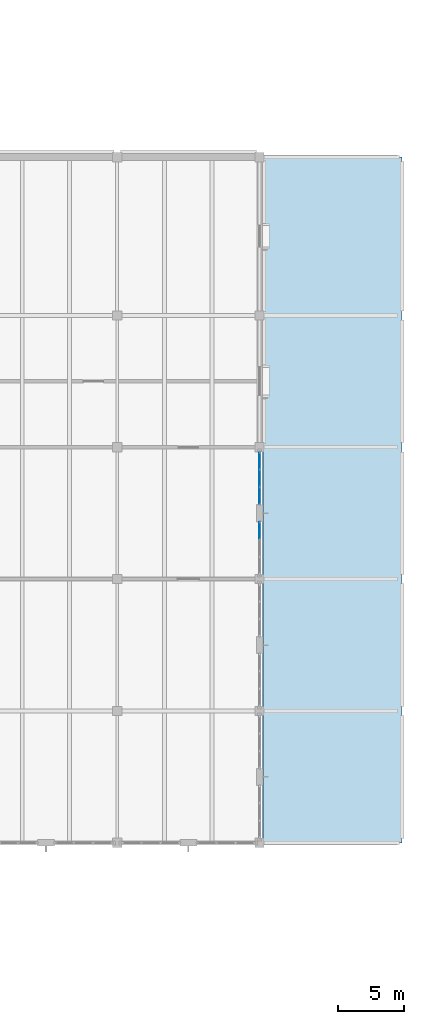
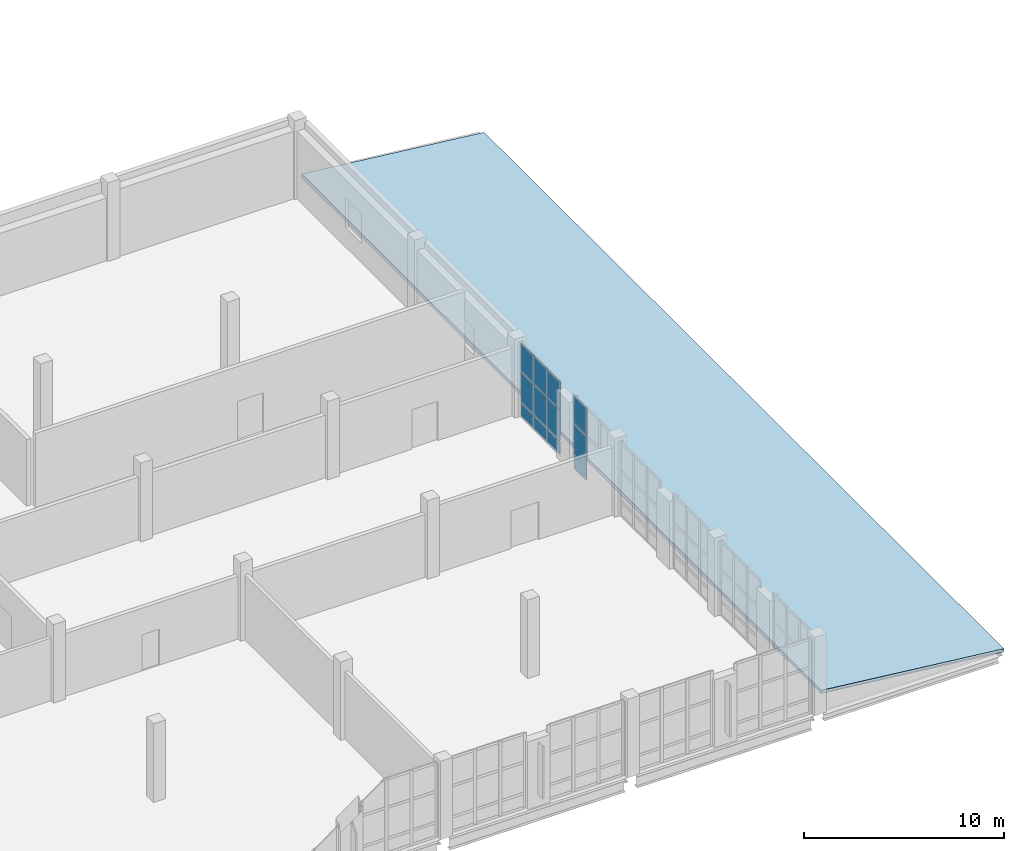
# One storey, part 64 of 92: 12 plates, 1 slab, 2 elements without a shape of their own.
"""IFC4 building model written with IfcOpenShell, lengths in metres."""

from ifc_helpers import new_model, si_unit, direction, frame, origin, origin_2d, place, context, subcontext, project, spatial, polyline, rectangle, outline, extrude, material, layer, layer_set, type_object, element, aggregate, save


model = new_model("IFC4")

# Units and contexts
model_context = context("Model", 3, precision=1e-05, world=origin(), true_north=direction((0.0, 1.0)))
body_context = subcontext(model_context, "Body", "Model", "MODEL_VIEW")
ifc_project = project(units=[si_unit("LENGTHUNIT", "METRE"), si_unit("AREAUNIT", "SQUARE_METRE"), si_unit("VOLUMEUNIT", "CUBIC_METRE"), si_unit("PLANEANGLEUNIT", "RADIAN"), si_unit("MASSUNIT", "GRAM", prefix="KILO")], contexts=[model_context])

# Site, building, storey
site_placement = place(None, origin())
site = spatial("IfcSite", under=ifc_project, at=site_placement, CompositionType="ELEMENT")
building_placement = place(site_placement, origin())
building = spatial("IfcBuilding", under=site, at=building_placement, Name="Tasgan Crest Museum", CompositionType="ELEMENT")
storey_placement = place(building_placement, frame((0.0, 0.0, 4.800048828125)))
storey = spatial("IfcBuildingStorey", under=building, at=storey_placement, Name="L01", CompositionType="ELEMENT", Elevation=4.800048828125)

# Curtain wall, plate
ifc_material_1 = material(Name="Triple-Glazed Aluminium Curtain Wall", Category="aluminium")
ifc_layer_1 = layer(ifc_material_1, 0.179931640625, Name="CW-PORCH-Y")
ifc_layer_set_1 = layer_set([ifc_layer_1], Name="Triple-Glazed Aluminium Curtain Wall")
curtain_wall_type = type_object("IfcCurtainWallType", Name="CW-PORCH-Y", PredefinedType="NOTDEFINED", material=ifc_layer_set_1)
curtain_wall_1_placement = place(storey_placement, origin())
curtain_wall_1 = element("IfcCurtainWall", 1, at=curtain_wall_1_placement, inside=storey, type_object=curtain_wall_type, Name="Curtain wall L01 055", PredefinedType="NOTDEFINED")
ifc_material_2 = material(Name="Insulated Spandrel Glass", Category="glass")
ifc_layer_2 = layer(ifc_material_2, 0.052001953125, Name="CW-PANEL-SPANDREL")
ifc_layer_set_2 = layer_set([ifc_layer_2], Name="Insulated Spandrel Glass")
plate_type_1 = type_object("IfcPlateType", Name="CW-PANEL-SPANDREL", PredefinedType="CURTAIN_PANEL", material=ifc_layer_set_2)
plate_1_placement = place(storey_placement, frame((151.199951171875, 33.675048828125, 0.059814453125), z_axis=(0.0, 0.0, 1.0), x_axis=(0.0, 1.0, 0.0)))
plate_1 = element("IfcPlate", 2, at=plate_1_placement, type_object=plate_type_1, Name="CW02 panel 3.1", PredefinedType="CURTAIN_PANEL", context=body_context, shape_type="SweptSolid", body=[
    extrude(rectangle(XDim=1.239990234375, YDim=0.028076171875, at=origin_2d()), origin(), (0.0, 0.0, 1.0), 0.81005859375),
])

# Curtain wall, plates
curtain_wall_2_placement = place(storey_placement, origin())
curtain_wall_2 = element("IfcCurtainWall", 3, at=curtain_wall_2_placement, inside=storey, type_object=curtain_wall_type, Name="Curtain wall L01 056", PredefinedType="NOTDEFINED")
plate_2_placement = place(storey_placement, frame((151.199951171875, 36.324951171875, 0.059814453125), z_axis=(0.0, 0.0, 1.0), x_axis=(0.0, 1.0, 0.0)))
plate_2 = element("IfcPlate", 4, at=plate_2_placement, type_object=plate_type_1, Name="CW02 panel 1.1", PredefinedType="CURTAIN_PANEL", context=body_context, shape_type="SweptSolid", body=[
    extrude(rectangle(XDim=1.239990234375, YDim=0.028076171875, at=origin_2d()), origin(), (0.0, 0.0, 1.0), 0.81005859375),
])
plate_3_placement = place(storey_placement, frame((151.199951171875, 37.639892578125, 0.059814453125), z_axis=(0.0, 0.0, 1.0), x_axis=(0.0, 1.0, 0.0)))
plate_3 = element("IfcPlate", 5, at=plate_3_placement, type_object=plate_type_1, Name="CW02 panel 2.1", PredefinedType="CURTAIN_PANEL", context=body_context, shape_type="SweptSolid", body=[
    extrude(rectangle(XDim=1.27001953125, YDim=0.028076171875, at=origin_2d()), origin(), (0.0, 0.0, 1.0), 0.81005859375),
])
plate_4_placement = place(storey_placement, frame((151.199951171875, 38.955078125, 0.059814453125), z_axis=(0.0, 0.0, 1.0), x_axis=(0.0, 1.0, 0.0)))
plate_4 = element("IfcPlate", 6, at=plate_4_placement, type_object=plate_type_1, Name="CW02 panel 3.1", PredefinedType="CURTAIN_PANEL", context=body_context, shape_type="SweptSolid", body=[
    extrude(rectangle(XDim=1.239990234375, YDim=0.028076171875, at=origin_2d()), origin(), (0.0, 0.0, 1.0), 0.81005859375),
])

# Plate
ifc_material_3 = material(Name="Low-E Triple Glazing", Category="glass")
ifc_layer_3 = layer(ifc_material_3, 0.0439453125, Name="CW-PANEL-TRIPLE")
ifc_layer_set_3 = layer_set([ifc_layer_3], Name="Low-E Triple Glazing")
plate_type_2 = type_object("IfcPlateType", Name="CW-PANEL-TRIPLE", PredefinedType="CURTAIN_PANEL", material=ifc_layer_set_3)
plate_5_placement = place(storey_placement, frame((151.199951171875, 33.675048828125, 0.9296875), z_axis=(0.0, 0.0, 1.0), x_axis=(0.0, 1.0, 0.0)))
plate_5 = element("IfcPlate", 7, at=plate_5_placement, type_object=plate_type_2, Name="CW02 panel 3.2", PredefinedType="CURTAIN_PANEL", context=body_context, shape_type="SweptSolid", body=[
    extrude(rectangle(XDim=1.239990234375, YDim=0.028076171875, at=origin_2d()), origin(), (0.0, 0.0, 1.0), 1.840087890625),
])

plate_6_placement = place(storey_placement, frame((151.199951171875, 33.675048828125, 2.830078125), z_axis=(0.0, 0.0, 1.0), x_axis=(0.0, 1.0, 0.0)))
plate_6 = element("IfcPlate", 8, at=plate_6_placement, type_object=plate_type_2, Name="CW02 panel 3.3", PredefinedType="CURTAIN_PANEL", context=body_context, shape_type="SweptSolid", body=[
    extrude(rectangle(XDim=1.239990234375, YDim=0.028076171875, at=origin_2d()), origin(), (0.0, 0.0, 1.0), 1.669921875),
])

aggregate(curtain_wall_1, [plate_1, plate_5, plate_6])

plate_7_placement = place(storey_placement, frame((151.199951171875, 36.324951171875, 0.9296875), z_axis=(0.0, 0.0, 1.0), x_axis=(0.0, 1.0, 0.0)))
plate_7 = element("IfcPlate", 9, at=plate_7_placement, type_object=plate_type_2, Name="CW02 panel 1.2", PredefinedType="CURTAIN_PANEL", context=body_context, shape_type="SweptSolid", body=[
    extrude(rectangle(XDim=1.239990234375, YDim=0.028076171875, at=origin_2d()), origin(), (0.0, 0.0, 1.0), 1.840087890625),
])

plate_8_placement = place(storey_placement, frame((151.199951171875, 36.324951171875, 2.830078125), z_axis=(0.0, 0.0, 1.0), x_axis=(0.0, 1.0, 0.0)))
plate_8 = element("IfcPlate", 10, at=plate_8_placement, type_object=plate_type_2, Name="CW02 panel 1.3", PredefinedType="CURTAIN_PANEL", context=body_context, shape_type="SweptSolid", body=[
    extrude(rectangle(XDim=1.239990234375, YDim=0.028076171875, at=origin_2d()), origin(), (0.0, 0.0, 1.0), 1.669921875),
])

plate_9_placement = place(storey_placement, frame((151.199951171875, 37.639892578125, 0.9296875), z_axis=(0.0, 0.0, 1.0), x_axis=(0.0, 1.0, 0.0)))
plate_9 = element("IfcPlate", 11, at=plate_9_placement, type_object=plate_type_2, Name="CW02 panel 2.2", PredefinedType="CURTAIN_PANEL", context=body_context, shape_type="SweptSolid", body=[
    extrude(rectangle(XDim=1.27001953125, YDim=0.028076171875, at=origin_2d()), origin(), (0.0, 0.0, 1.0), 1.840087890625),
])

plate_10_placement = place(storey_placement, frame((151.199951171875, 37.639892578125, 2.830078125), z_axis=(0.0, 0.0, 1.0), x_axis=(0.0, 1.0, 0.0)))
plate_10 = element("IfcPlate", 12, at=plate_10_placement, type_object=plate_type_2, Name="CW02 panel 2.3", PredefinedType="CURTAIN_PANEL", context=body_context, shape_type="SweptSolid", body=[
    extrude(rectangle(XDim=1.27001953125, YDim=0.028076171875, at=origin_2d()), origin(), (0.0, 0.0, 1.0), 1.669921875),
])

plate_11_placement = place(storey_placement, frame((151.199951171875, 38.955078125, 0.9296875), z_axis=(0.0, 0.0, 1.0), x_axis=(0.0, 1.0, 0.0)))
plate_11 = element("IfcPlate", 13, at=plate_11_placement, type_object=plate_type_2, Name="CW02 panel 3.2", PredefinedType="CURTAIN_PANEL", context=body_context, shape_type="SweptSolid", body=[
    extrude(rectangle(XDim=1.239990234375, YDim=0.028076171875, at=origin_2d()), origin(), (0.0, 0.0, 1.0), 1.840087890625),
])

plate_12_placement = place(storey_placement, frame((151.199951171875, 38.955078125, 2.830078125), z_axis=(0.0, 0.0, 1.0), x_axis=(0.0, 1.0, 0.0)))
plate_12 = element("IfcPlate", 14, at=plate_12_placement, type_object=plate_type_2, Name="CW02 panel 3.3", PredefinedType="CURTAIN_PANEL", context=body_context, shape_type="SweptSolid", body=[
    extrude(rectangle(XDim=1.239990234375, YDim=0.028076171875, at=origin_2d()), origin(), (0.0, 0.0, 1.0), 1.669921875),
])

aggregate(curtain_wall_2, [plate_2, plate_7, plate_8, plate_3, plate_9, plate_10, plate_4, plate_11, plate_12])

# Slab
ifc_material_4 = material(Name="Concrete C35/45", Category="concrete")
ifc_layer_4 = layer(ifc_material_4, 0.199951171875, Name="SL-ROOF-200")
ifc_layer_set_4 = layer_set([ifc_layer_4], Name="Concrete C35/45")
slab_type = type_object("IfcSlabType", Name="SL-ROOF-200", PredefinedType="ROOF", material=ifc_layer_set_4)
slab_placement = place(storey_placement, frame((151.449951171875, 10.0, 1.14990234375), z_axis=(0.108353265342, 0.0, 0.994112453342), x_axis=(0.994112453342, 0.0, -0.108353265342)))
element("IfcSlab", 15, at=slab_placement, inside=storey, type_object=slab_type, Name="East loading dock sloped roof", PredefinedType="ROOF", context=body_context, shape_type="SweptSolid", body=[
    extrude(outline(polyline([(0.0, 0.0), (10.61253059717537, 0.0), (10.61253059717537, 52.0), (0.0, 52.0), (0.0, 0.0)])), origin(), (0.0, 0.0, -1.0), 0.199951171875),
])

save(model, "model.ifc")
